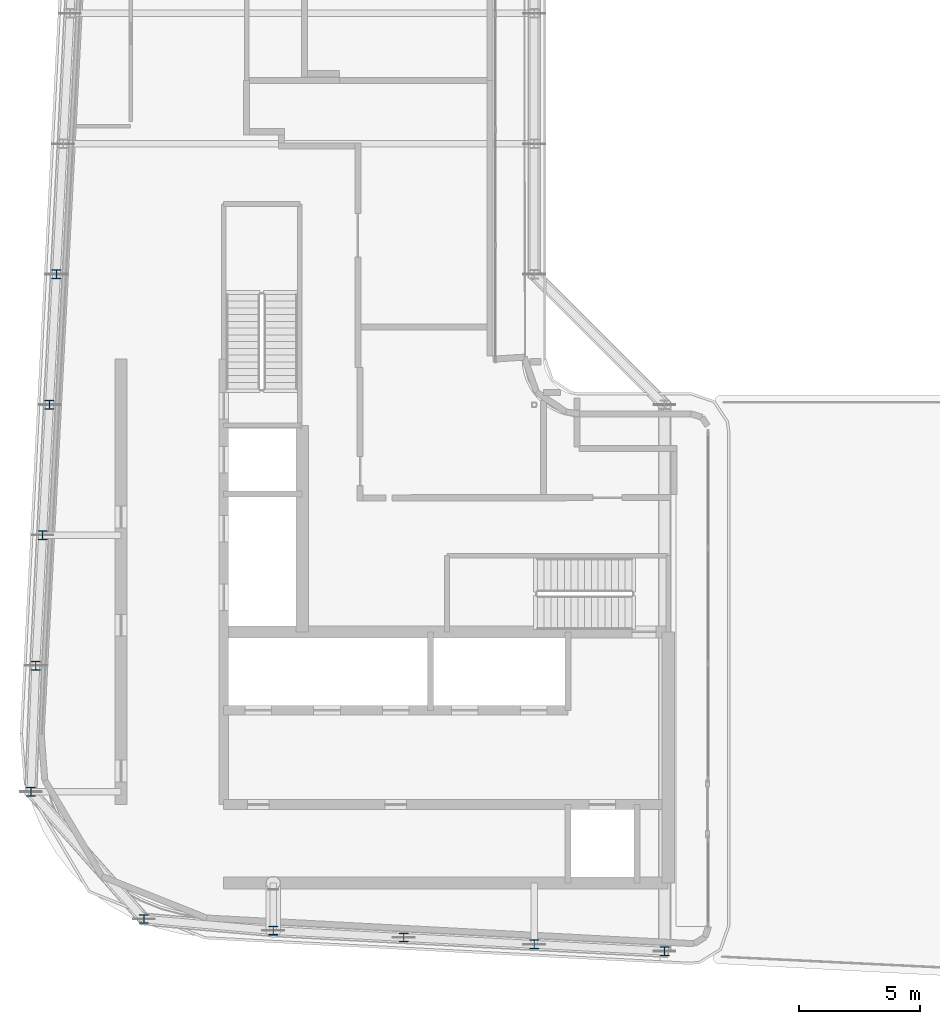
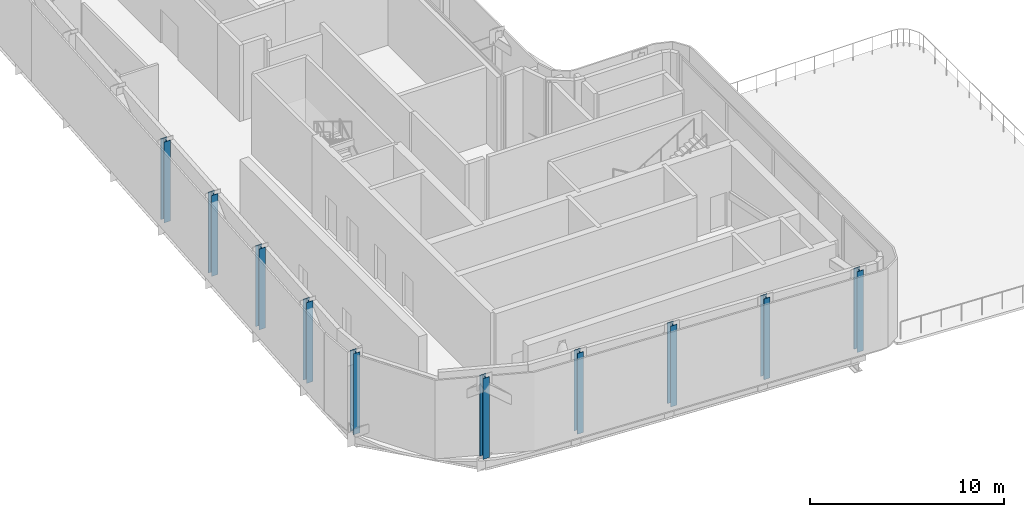
# One storey, part 1 of 18: 10 columns.
"""IFC4 building model written with IfcOpenShell, lengths in metres."""

from ifc_helpers import new_model, si_unit, direction, frame, origin, origin_2d, place, context, subcontext, project, spatial, i_section, extrude, material, material_profile, profile_set, type_object, element, save


model = new_model("IFC4")

# Units and contexts
model_context = context("Model", 3, precision=1e-05, world=origin(), true_north=direction((0.0, 1.0)))
body_context = subcontext(model_context, "Body", "Model", "MODEL_VIEW")
ifc_project = project(units=[si_unit("LENGTHUNIT", "METRE"), si_unit("AREAUNIT", "SQUARE_METRE"), si_unit("VOLUMEUNIT", "CUBIC_METRE"), si_unit("PLANEANGLEUNIT", "RADIAN"), si_unit("MASSUNIT", "GRAM", prefix="KILO")], contexts=[model_context])

# Site, building, storey
site_placement = place(None, origin())
site = spatial("IfcSite", under=ifc_project, at=site_placement, CompositionType="ELEMENT")
building_placement = place(site_placement, origin())
building = spatial("IfcBuilding", under=site, at=building_placement, Name="Kheshtan School and Residences Tower", CompositionType="ELEMENT")
storey_placement = place(building_placement, frame((0.0, 0.0, 333.199951171875)))
storey = spatial("IfcBuildingStorey", under=building, at=storey_placement, Name="L78", CompositionType="ELEMENT", Elevation=333.199951171875)

# Columns
ifc_material = material(Name="Steel ASTM A992 Grade 50", Category="steel")
ifc_material_profile = material_profile(ifc_material, i_section(OverallWidth=0.37109375, OverallDepth=0.364013671875, WebThickness=0.01318359375, FlangeThickness=0.021728515625, FilletRadius=0.010986328125, at=origin_2d()), Name="W360x162")
ifc_profile_set = profile_set([ifc_material_profile], Name="Steel ASTM A992 Grade 50")
column_type = type_object("IfcColumnType", Name="Column C6 W360x162 ASTM A992 Grade 50", PredefinedType="COLUMN", material=ifc_profile_set)
for number, where, z_axis, x_axis, name in (
    (1, (53.0, 22.97998046875, 0.0), (0.0, 0.0, 1.0), (1.0, 0.0, 0.0), "Column C019"),
    (2, (47.60009765625, 23.263916015625, 0.0), (0.0, 0.0, 1.0), (1.0, 0.0, 0.0), "Column C020"),
    (3, (42.199951171875, 23.548095703125, 0.0), (0.0, 0.0, 1.0), (1.0, 0.0, 0.0), "Column C021"),
    (4, (36.800048828125, 23.83203125, 0.0), (0.0, 0.0, 1.0), (1.0, 0.0, 0.0), "Column C022"),
    (5, (31.447021484375, 24.31005859375, 0.0), (0.0, 0.0, 1.0), (1.0, 0.0, 0.0), "Column C034"),
    (6, (26.76708984375, 29.58203125, 0.0), (0.0, 0.0, 1.0), (1.0, 0.0, 0.0), "Column C048"),
    (7, (26.968994140625, 34.800048828125, 0.0), (0.0, 0.0, 1.0), (1.0, 0.0, 0.0), "Column C052"),
    (8, (27.2529296875, 40.199951171875, 0.0), (0.0, 0.0, 1.0), (1.0, 0.0, 0.0), "Column C056"),
    (9, (27.537109375, 45.60009765625, 0.0), (0.0, 0.0, 1.0), (1.0, 0.0, 0.0), "Column C059"),
    (10, (27.822021484375, 51.0, 0.0), (0.0, 0.0, 1.0), (1.0, 0.0, 0.0), "Column C078"),
):
    element("IfcColumn", number, at=place(storey_placement, frame(where, z_axis=z_axis, x_axis=x_axis)), inside=storey, type_object=column_type, Name=name, PredefinedType="COLUMN", context=body_context, shape_type="SweptSolid", body=[
        extrude(i_section(OverallWidth=0.37109375, OverallDepth=0.364013671875, WebThickness=0.01318359375, FlangeThickness=0.021728515625, FilletRadius=0.010986328125, at=origin_2d()), origin(), (0.0, 0.0, 1.0), 5.10009765625),
    ])

save(model, "model.ifc")
